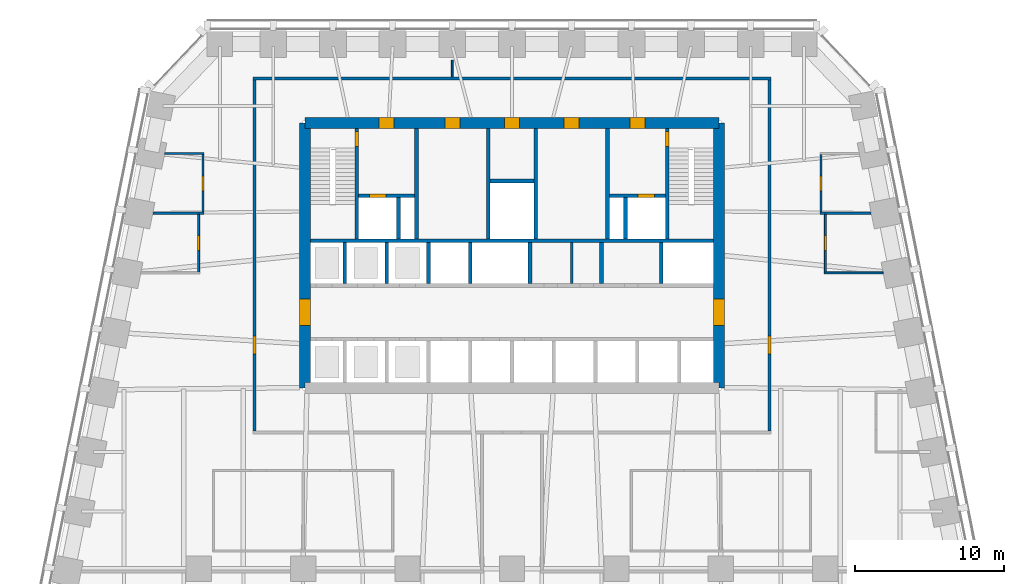
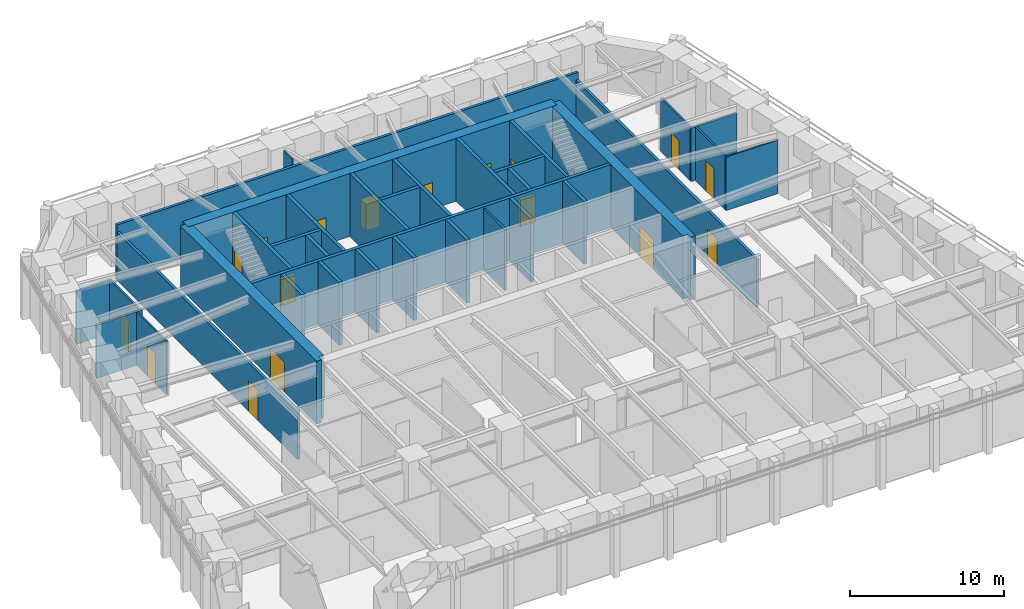
# One storey, part 7 of 11: 35 walls, 17 doors, 17 openings.
"""IFC4 building model written with IfcOpenShell, lengths in metres."""

from ifc_helpers import new_model, si_unit, direction, frame, frame_2d, origin, place, context, subcontext, project, spatial, polyline, rectangle, outline, extrude, material, layer, layer_set, type_object, element, fill, save


model = new_model("IFC4")

# Units and contexts
model_context = context("Model", 3, precision=1e-05, world=origin(), true_north=direction((0.0, 1.0)))
body_context = subcontext(model_context, "Body", "Model", "MODEL_VIEW")
ifc_project = project(units=[si_unit("LENGTHUNIT", "METRE"), si_unit("AREAUNIT", "SQUARE_METRE"), si_unit("VOLUMEUNIT", "CUBIC_METRE"), si_unit("PLANEANGLEUNIT", "RADIAN"), si_unit("MASSUNIT", "GRAM", prefix="KILO")], contexts=[model_context])

# Site, building, storey
site_placement = place(None, origin())
site = spatial("IfcSite", under=ifc_project, at=site_placement, CompositionType="ELEMENT")
building_placement = place(site_placement, origin())
building = spatial("IfcBuilding", under=site, at=building_placement, Name="Isbrekke Arena Tower", CompositionType="ELEMENT")
storey_placement = place(building_placement, frame((0.0, 0.0, 98.0)))
storey = spatial("IfcBuildingStorey", under=building, at=storey_placement, Name="L21", CompositionType="ELEMENT", Elevation=98.0)

# Wall, opening, door
ifc_material_1 = material(Name="Concrete B55 (C55/67)", Category="concrete")
ifc_layer_1 = layer(ifc_material_1, 0.75)
ifc_layer_set_1 = layer_set([ifc_layer_1], Name="CW3 CORE WALL 750")
wall_type_1 = type_object("IfcWallType", Name="CW3 CORE WALL 750", PredefinedType="SHEAR", material=ifc_layer_set_1)
wall_1_placement = place(storey_placement, frame((13.875, 6.125, 0.0), z_axis=(0.0, 0.0, 1.0), x_axis=(0.0, 1.0, 0.0)))
wall_1 = element("IfcWall", 1, at=wall_1_placement, inside=storey, type_object=wall_type_1, Name="Core wall E L21", PredefinedType="SHEAR", context=body_context, shape_type="SweptSolid", body=[
    extrude(outline(polyline([(0.0, -0.375), (17.75, -0.375), (17.75, 0.0), (17.375, 0.0), (17.375, 0.375), (0.375, 0.375), (0.375, 0.0), (0.0, 0.0), (0.0, -0.375)])), origin(), (0.0, 0.0, 1.0), 5.0),
])
opening_1_placement = place(wall_1_placement, frame((4.175048828125, 0.0, 0.0)))
opening_1 = element("IfcOpeningElement", 2, at=opening_1_placement, cuts=wall_1, Name="Opening D1", PredefinedType="OPENING", context=body_context, shape_type="SweptSolid", body=[
    extrude(rectangle(XDim=1.800048828125, YDim=2.39990234375, at=frame_2d((0.89990234375, 1.199951171875))), frame((0.0, 0.389892578125, 0.0), z_axis=(0.0, -1.0, 0.0), x_axis=(1.0, 0.0, 0.0)), (0.0, 0.0, 1.0), 0.77978515625),
])
ifc_material_2 = material(Name="Steel-framed glazed fire door", Category="steel")
door_type_1 = type_object("IfcDoorType", Name="D1 CORE LOBBY DOOR 1800 x 2400", OperationType="DOUBLE_DOOR_SINGLE_SWING", PredefinedType="DOOR", material=ifc_material_2)
door_1_placement = place(opening_1_placement, origin())
door_1 = element("IfcDoor", 3, at=door_1_placement, inside=storey, type_object=door_type_1, Name="D1 lift lobby door east L21", OperationType="DOUBLE_DOOR_SINGLE_SWING", OverallHeight=2.39990234375, OverallWidth=1.800048828125, PredefinedType="DOOR", context=body_context, shape_type="SweptSolid", body=[
    extrude(rectangle(XDim=1.800048828125, YDim=2.39990234375, at=frame_2d((0.89990234375, 1.199951171875))), frame((0.0, 0.374755859375, 0.0), z_axis=(0.0, -1.0, 0.0), x_axis=(1.0, 0.0, 0.0)), (0.0, 0.0, 1.0), 0.74951171875),
])
fill(opening_1, door_1)

# Wall, openings, doors
wall_2_placement = place(storey_placement, frame((13.875, 23.875, 0.0), z_axis=(0.0, 0.0, 1.0), x_axis=(-1.0, 0.0, 0.0)))
wall_2 = element("IfcWall", 4, at=wall_2_placement, inside=storey, type_object=wall_type_1, Name="Core wall N L21", PredefinedType="SHEAR", context=body_context, shape_type="SweptSolid", body=[
    extrude(rectangle(XDim=27.75, YDim=0.75, at=frame_2d((13.875, 0.0))), origin(), (0.0, 0.0, 1.0), 5.0),
])
opening_2_placement = place(wall_2_placement, frame((21.77490234375, 0.0, 0.0)))
opening_2 = element("IfcOpeningElement", 5, at=opening_2_placement, cuts=wall_2, Name="Opening D3", PredefinedType="OPENING", context=body_context, shape_type="SweptSolid", body=[
    extrude(rectangle(XDim=1.0, YDim=2.10009765625, at=frame_2d((0.5, 1.050048828125))), frame((0.0, 0.389892578125, 0.0), z_axis=(0.0, -1.0, 0.0), x_axis=(1.0, 0.0, 0.0)), (0.0, 0.0, 1.0), 0.77978515625),
])
opening_3_placement = place(wall_2_placement, frame((4.97509765625, 0.0, 0.0)))
opening_3 = element("IfcOpeningElement", 6, at=opening_3_placement, cuts=wall_2, Name="Opening D3", PredefinedType="OPENING", context=body_context, shape_type="SweptSolid", body=[
    extrude(rectangle(XDim=1.0, YDim=2.10009765625, at=frame_2d((0.5, 1.050048828125))), frame((0.0, 0.389892578125, 0.0), z_axis=(0.0, -1.0, 0.0), x_axis=(1.0, 0.0, 0.0)), (0.0, 0.0, 1.0), 0.77978515625),
])
opening_4_placement = place(wall_2_placement, frame((17.375, 0.0, 0.0)))
opening_4 = element("IfcOpeningElement", 7, at=opening_4_placement, cuts=wall_2, Name="Opening D4", PredefinedType="OPENING", context=body_context, shape_type="SweptSolid", body=[
    extrude(rectangle(XDim=1.0, YDim=2.10009765625, at=frame_2d((0.5, 1.050048828125))), frame((0.0, 0.389892578125, 0.0), z_axis=(0.0, -1.0, 0.0), x_axis=(1.0, 0.0, 0.0)), (0.0, 0.0, 1.0), 0.77978515625),
])
opening_5_placement = place(wall_2_placement, frame((13.375, 0.0, 0.0)))
opening_5 = element("IfcOpeningElement", 8, at=opening_5_placement, cuts=wall_2, Name="Opening D4", PredefinedType="OPENING", context=body_context, shape_type="SweptSolid", body=[
    extrude(rectangle(XDim=1.0, YDim=2.10009765625, at=frame_2d((0.5, 1.050048828125))), frame((0.0, 0.389892578125, 0.0), z_axis=(0.0, -1.0, 0.0), x_axis=(1.0, 0.0, 0.0)), (0.0, 0.0, 1.0), 0.77978515625),
])
opening_6_placement = place(wall_2_placement, frame((9.375, 0.0, 0.0)))
opening_6 = element("IfcOpeningElement", 9, at=opening_6_placement, cuts=wall_2, Name="Opening D4", PredefinedType="OPENING", context=body_context, shape_type="SweptSolid", body=[
    extrude(rectangle(XDim=1.0, YDim=2.10009765625, at=frame_2d((0.5, 1.050048828125))), frame((0.0, 0.389892578125, 0.0), z_axis=(0.0, -1.0, 0.0), x_axis=(1.0, 0.0, 0.0)), (0.0, 0.0, 1.0), 0.77978515625),
])
ifc_material_3 = material(Name="Steel fire door", Category="steel")
door_type_2 = type_object("IfcDoorType", Name="D3 FIRE LOBBY DOOR 1000 x 2100", OperationType="SINGLE_SWING_RIGHT", PredefinedType="DOOR", material=ifc_material_3)
door_2_placement = place(opening_2_placement, origin())
door_2 = element("IfcDoor", 10, at=door_2_placement, inside=storey, type_object=door_type_2, Name="D3 fire-fighting lobby door L21", OperationType="SINGLE_SWING_RIGHT", OverallHeight=2.10009765625, OverallWidth=1.0, PredefinedType="DOOR", context=body_context, shape_type="SweptSolid", body=[
    extrude(rectangle(XDim=1.0, YDim=2.10009765625, at=frame_2d((0.5, 1.050048828125))), frame((0.0, 0.374755859375, 0.0), z_axis=(0.0, -1.0, 0.0), x_axis=(1.0, 0.0, 0.0)), (0.0, 0.0, 1.0), 0.74951171875),
])
fill(opening_2, door_2)
door_3_placement = place(opening_3_placement, origin())
door_3 = element("IfcDoor", 11, at=door_3_placement, inside=storey, type_object=door_type_2, Name="D3 fire-fighting lobby door L21", OperationType="SINGLE_SWING_RIGHT", OverallHeight=2.10009765625, OverallWidth=1.0, PredefinedType="DOOR", context=body_context, shape_type="SweptSolid", body=[
    extrude(rectangle(XDim=1.0, YDim=2.10009765625, at=frame_2d((0.5, 1.050048828125))), frame((0.0, 0.374755859375, 0.0), z_axis=(0.0, -1.0, 0.0), x_axis=(1.0, 0.0, 0.0)), (0.0, 0.0, 1.0), 0.74951171875),
])
fill(opening_3, door_3)
ifc_material_4 = material(Name="Timber door", Category="wood")
door_type_3 = type_object("IfcDoorType", Name="D4 WC DOOR 1000 x 2100", OperationType="SINGLE_SWING_LEFT", PredefinedType="DOOR", material=ifc_material_4)
door_4_placement = place(opening_4_placement, origin())
door_4 = element("IfcDoor", 12, at=door_4_placement, inside=storey, type_object=door_type_3, Name="D4 wc female door L21", OperationType="SINGLE_SWING_LEFT", OverallHeight=2.10009765625, OverallWidth=1.0, PredefinedType="DOOR", context=body_context, shape_type="SweptSolid", body=[
    extrude(rectangle(XDim=1.0, YDim=2.10009765625, at=frame_2d((0.5, 1.050048828125))), frame((0.0, 0.374755859375, 0.0), z_axis=(0.0, -1.0, 0.0), x_axis=(1.0, 0.0, 0.0)), (0.0, 0.0, 1.0), 0.74951171875),
])
fill(opening_4, door_4)
door_5_placement = place(opening_5_placement, origin())
door_5 = element("IfcDoor", 13, at=door_5_placement, inside=storey, type_object=door_type_3, Name="D4 accessible wc door L21", OperationType="SINGLE_SWING_LEFT", OverallHeight=2.10009765625, OverallWidth=1.0, PredefinedType="DOOR", context=body_context, shape_type="SweptSolid", body=[
    extrude(rectangle(XDim=1.0, YDim=2.10009765625, at=frame_2d((0.5, 1.050048828125))), frame((0.0, 0.374755859375, 0.0), z_axis=(0.0, -1.0, 0.0), x_axis=(1.0, 0.0, 0.0)), (0.0, 0.0, 1.0), 0.74951171875),
])
fill(opening_5, door_5)
door_6_placement = place(opening_6_placement, origin())
door_6 = element("IfcDoor", 14, at=door_6_placement, inside=storey, type_object=door_type_3, Name="D4 wc male door L21", OperationType="SINGLE_SWING_LEFT", OverallHeight=2.10009765625, OverallWidth=1.0, PredefinedType="DOOR", context=body_context, shape_type="SweptSolid", body=[
    extrude(rectangle(XDim=1.0, YDim=2.10009765625, at=frame_2d((0.5, 1.050048828125))), frame((0.0, 0.374755859375, 0.0), z_axis=(0.0, -1.0, 0.0), x_axis=(1.0, 0.0, 0.0)), (0.0, 0.0, 1.0), 0.74951171875),
])
fill(opening_6, door_6)

# Wall, opening, door
wall_3_placement = place(storey_placement, frame((-13.875, 23.875, 0.0), z_axis=(0.0, 0.0, 1.0), x_axis=(0.0, -1.0, 0.0)))
wall_3 = element("IfcWall", 15, at=wall_3_placement, inside=storey, type_object=wall_type_1, Name="Core wall W L21", PredefinedType="SHEAR", context=body_context, shape_type="SweptSolid", body=[
    extrude(outline(polyline([(0.0, -0.375), (17.75, -0.375), (17.75, 0.0), (17.375, 0.0), (17.375, 0.375), (0.375, 0.375), (0.375, 0.0), (0.0, 0.0), (0.0, -0.375)])), origin(), (0.0, 0.0, 1.0), 5.0),
])
opening_7_placement = place(wall_3_placement, frame((11.77490234375, 0.0, 0.0)))
opening_7 = element("IfcOpeningElement", 16, at=opening_7_placement, cuts=wall_3, Name="Opening D1", PredefinedType="OPENING", context=body_context, shape_type="SweptSolid", body=[
    extrude(rectangle(XDim=1.800048828125, YDim=2.39990234375, at=frame_2d((0.89990234375, 1.199951171875))), frame((0.0, 0.389892578125, 0.0), z_axis=(0.0, -1.0, 0.0), x_axis=(1.0, 0.0, 0.0)), (0.0, 0.0, 1.0), 0.77978515625),
])
door_7_placement = place(opening_7_placement, origin())
door_7 = element("IfcDoor", 17, at=door_7_placement, inside=storey, type_object=door_type_1, Name="D1 lift lobby door west L21", OperationType="DOUBLE_DOOR_SINGLE_SWING", OverallHeight=2.39990234375, OverallWidth=1.800048828125, PredefinedType="DOOR", context=body_context, shape_type="SweptSolid", body=[
    extrude(rectangle(XDim=1.800048828125, YDim=2.39990234375, at=frame_2d((0.89990234375, 1.199951171875))), frame((0.0, 0.374755859375, 0.0), z_axis=(0.0, -1.0, 0.0), x_axis=(1.0, 0.0, 0.0)), (0.0, 0.0, 1.0), 0.74951171875),
])
fill(opening_7, door_7)

# Walls
ifc_material_5 = material(Name="Concrete B45 (C45/55)", Category="concrete")
ifc_layer_2 = layer(ifc_material_5, 0.25)
ifc_layer_set_2 = layer_set([ifc_layer_2], Name="CW6 SHAFT WALL 250")
wall_type_2 = type_object("IfcWallType", Name="CW6 SHAFT WALL 250", PredefinedType="SHEAR", material=ifc_layer_set_2)
wall_4_placement = place(storey_placement, frame((-13.5, 16.0, 0.0), z_axis=(0.0, 0.0, 1.0), x_axis=(1.0, 0.0, 0.0)))
element("IfcWall", 18, at=wall_4_placement, inside=storey, type_object=wall_type_2, Name="Core wall NB L21", PredefinedType="SHEAR", context=body_context, shape_type="SweptSolid", body=[
    extrude(rectangle(XDim=27.0, YDim=0.25, at=frame_2d((13.5, 0.0))), origin(), (0.0, 0.0, 1.0), 5.0),
])
for number, where, z_axis, x_axis, name in (
    (19, (-11.199951171875, 13.125, 0.0), (0.0, 0.0, 1.0), (0.0, 1.0, 0.0), "Core wall SN01 L21"),
    (20, (-8.39990234375, 13.125, 0.0), (0.0, 0.0, 1.0), (0.0, 1.0, 0.0), "Core wall SN02 L21"),
    (21, (-5.60009765625, 13.125, 0.0), (0.0, 0.0, 1.0), (0.0, 1.0, 0.0), "Core wall SN03 L21"),
    (22, (-2.800048828125, 13.125, 0.0), (0.0, 0.0, 1.0), (0.0, 1.0, 0.0), "Core wall SN04 L21"),
    (23, (1.199951171875, 13.125, 0.0), (0.0, 0.0, 1.0), (0.0, 1.0, 0.0), "Core wall SN05 L21"),
    (24, (6.0, 13.125, 0.0), (0.0, 0.0, 1.0), (0.0, 1.0, 0.0), "Core wall SN06 L21"),
    (25, (10.0, 13.125, 0.0), (0.0, 0.0, 1.0), (0.0, 1.0, 0.0), "Core wall SN07 L21"),
):
    element("IfcWall", number, at=place(storey_placement, frame(where, z_axis=z_axis, x_axis=x_axis)), inside=storey, type_object=wall_type_2, Name=name, PredefinedType="SHEAR", context=body_context, shape_type="SweptSolid", body=[
        extrude(rectangle(XDim=2.75, YDim=0.25, at=frame_2d((1.375, 0.0))), origin(), (0.0, 0.0, 1.0), 5.0),
    ])

# Wall, opening, door
wall_5_placement = place(storey_placement, frame((-10.39990234375, 16.125, 0.0), z_axis=(0.0, 0.0, 1.0), x_axis=(0.0, 1.0, 0.0)))
wall_5 = element("IfcWall", 26, at=wall_5_placement, inside=storey, type_object=wall_type_2, Name="Core wall NV01 L21", PredefinedType="SHEAR", context=body_context, shape_type="SweptSolid", body=[
    extrude(rectangle(XDim=7.375, YDim=0.25, at=frame_2d((3.6875, 0.0))), origin(), (0.0, 0.0, 1.0), 5.0),
])
opening_8_placement = place(wall_5_placement, frame((6.175048828125, 0.0, 0.0)))
opening_8 = element("IfcOpeningElement", 27, at=opening_8_placement, cuts=wall_5, Name="Opening D2", PredefinedType="OPENING", context=body_context, shape_type="SweptSolid", body=[
    extrude(rectangle(XDim=1.0, YDim=2.10009765625, at=frame_2d((0.5, 1.050048828125))), frame((0.0, 0.139892578125, 0.0), z_axis=(0.0, -1.0, 0.0), x_axis=(1.0, 0.0, 0.0)), (0.0, 0.0, 1.0), 0.27978515625),
])
ifc_material_6 = material(Name="Steel fire door", Category="steel")
door_type_4 = type_object("IfcDoorType", Name="D2 STAIR DOOR 1000 x 2100", OperationType="SINGLE_SWING_LEFT", PredefinedType="DOOR", material=ifc_material_6)
door_8_placement = place(opening_8_placement, origin())
door_8 = element("IfcDoor", 28, at=door_8_placement, inside=storey, type_object=door_type_4, Name="D2 stair door ST1 L21", OperationType="SINGLE_SWING_LEFT", OverallHeight=2.10009765625, OverallWidth=1.0, PredefinedType="DOOR", context=body_context, shape_type="SweptSolid", body=[
    extrude(rectangle(XDim=1.0, YDim=2.10009765625, at=frame_2d((0.5, 1.050048828125))), frame((0.0, 0.124755859375, 0.0), z_axis=(0.0, -1.0, 0.0), x_axis=(1.0, 0.0, 0.0)), (0.0, 0.0, 1.0), 0.24951171875),
])
fill(opening_8, door_8)

# Walls
for number, where, z_axis, x_axis, name in (
    (29, (-6.39990234375, 16.125, 0.0), (0.0, 0.0, 1.0), (0.0, 1.0, 0.0), "Core wall NV02 L21"),
    (30, (-1.60009765625, 16.125, 0.0), (0.0, 0.0, 1.0), (0.0, 1.0, 0.0), "Core wall NV03 L21"),
    (31, (1.60009765625, 16.125, 0.0), (0.0, 0.0, 1.0), (0.0, 1.0, 0.0), "Core wall NV04 L21"),
    (32, (6.39990234375, 16.125, 0.0), (0.0, 0.0, 1.0), (0.0, 1.0, 0.0), "Core wall NV05 L21"),
):
    element("IfcWall", number, at=place(storey_placement, frame(where, z_axis=z_axis, x_axis=x_axis)), inside=storey, type_object=wall_type_2, Name=name, PredefinedType="SHEAR", context=body_context, shape_type="SweptSolid", body=[
        extrude(rectangle(XDim=7.375, YDim=0.25, at=frame_2d((3.6875, 0.0))), origin(), (0.0, 0.0, 1.0), 5.0),
    ])

# Wall, opening, door
wall_6_placement = place(storey_placement, frame((10.39990234375, 16.125, 0.0), z_axis=(0.0, 0.0, 1.0), x_axis=(0.0, 1.0, 0.0)))
wall_6 = element("IfcWall", 33, at=wall_6_placement, inside=storey, type_object=wall_type_2, Name="Core wall NV06 L21", PredefinedType="SHEAR", context=body_context, shape_type="SweptSolid", body=[
    extrude(rectangle(XDim=7.375, YDim=0.25, at=frame_2d((3.6875, 0.0))), origin(), (0.0, 0.0, 1.0), 5.0),
])
opening_9_placement = place(wall_6_placement, frame((6.175048828125, 0.0, 0.0)))
opening_9 = element("IfcOpeningElement", 34, at=opening_9_placement, cuts=wall_6, Name="Opening D2", PredefinedType="OPENING", context=body_context, shape_type="SweptSolid", body=[
    extrude(rectangle(XDim=1.0, YDim=2.10009765625, at=frame_2d((0.5, 1.050048828125))), frame((0.0, 0.139892578125, 0.0), z_axis=(0.0, -1.0, 0.0), x_axis=(1.0, 0.0, 0.0)), (0.0, 0.0, 1.0), 0.27978515625),
])
door_9_placement = place(opening_9_placement, origin())
door_9 = element("IfcDoor", 35, at=door_9_placement, inside=storey, type_object=door_type_4, Name="D2 stair door ST2 L21", OperationType="SINGLE_SWING_LEFT", OverallHeight=2.10009765625, OverallWidth=1.0, PredefinedType="DOOR", context=body_context, shape_type="SweptSolid", body=[
    extrude(rectangle(XDim=1.0, YDim=2.10009765625, at=frame_2d((0.5, 1.050048828125))), frame((0.0, 0.124755859375, 0.0), z_axis=(0.0, -1.0, 0.0), x_axis=(1.0, 0.0, 0.0)), (0.0, 0.0, 1.0), 0.24951171875),
])
fill(opening_9, door_9)

wall_7_placement = place(storey_placement, frame((-10.27490234375, 19.0, 0.0), z_axis=(0.0, 0.0, 1.0), x_axis=(1.0, 0.0, 0.0)))
wall_7 = element("IfcWall", 36, at=wall_7_placement, inside=storey, type_object=wall_type_2, Name="Core wall NFW L21", PredefinedType="SHEAR", context=body_context, shape_type="SweptSolid", body=[
    extrude(rectangle(XDim=3.75, YDim=0.25, at=frame_2d((1.875, 0.0))), origin(), (0.0, 0.0, 1.0), 5.0),
])
opening_10_placement = place(wall_7_placement, frame((0.72509765625, 0.0, 0.0)))
opening_10 = element("IfcOpeningElement", 37, at=opening_10_placement, cuts=wall_7, Name="Opening LD2", PredefinedType="OPENING", context=body_context, shape_type="SweptSolid", body=[
    extrude(rectangle(XDim=1.10009765625, YDim=2.10009765625, at=frame_2d((0.550048828125, 1.050048828125))), frame((0.0, 0.139892578125, 0.0), z_axis=(0.0, -1.0, 0.0), x_axis=(1.0, 0.0, 0.0)), (0.0, 0.0, 1.0), 0.27978515625),
])
ifc_material_7 = material(Name="Stainless steel lift landing door", Category="steel")
door_type_5 = type_object("IfcDoorType", Name="LD2 FIRE-FIGHTING LIFT LANDING DOOR 1100 x 2100", OperationType="SLIDING_TO_RIGHT", PredefinedType="DOOR", material=ifc_material_7)
door_10_placement = place(opening_10_placement, origin())
door_10 = element("IfcDoor", 38, at=door_10_placement, inside=storey, type_object=door_type_5, Name="LD2 lift landing door LF L21", OperationType="SLIDING_TO_RIGHT", OverallHeight=2.10009765625, OverallWidth=1.10009765625, PredefinedType="DOOR", context=body_context, shape_type="SweptSolid", body=[
    extrude(rectangle(XDim=1.10009765625, YDim=2.10009765625, at=frame_2d((0.550048828125, 1.050048828125))), frame((0.0, 0.124755859375, 0.0), z_axis=(0.0, -1.0, 0.0), x_axis=(1.0, 0.0, 0.0)), (0.0, 0.0, 1.0), 0.24951171875),
])
fill(opening_10, door_10)

wall_8_placement = place(storey_placement, frame((6.52490234375, 19.0, 0.0), z_axis=(0.0, 0.0, 1.0), x_axis=(1.0, 0.0, 0.0)))
wall_8 = element("IfcWall", 39, at=wall_8_placement, inside=storey, type_object=wall_type_2, Name="Core wall NFE L21", PredefinedType="SHEAR", context=body_context, shape_type="SweptSolid", body=[
    extrude(rectangle(XDim=3.75, YDim=0.25, at=frame_2d((1.875, 0.0))), origin(), (0.0, 0.0, 1.0), 5.0),
])
opening_11_placement = place(wall_8_placement, frame((1.925048828125, 0.0, 0.0)))
opening_11 = element("IfcOpeningElement", 40, at=opening_11_placement, cuts=wall_8, Name="Opening LD2", PredefinedType="OPENING", context=body_context, shape_type="SweptSolid", body=[
    extrude(rectangle(XDim=1.10009765625, YDim=2.10009765625, at=frame_2d((0.550048828125, 1.050048828125))), frame((0.0, 0.139892578125, 0.0), z_axis=(0.0, -1.0, 0.0), x_axis=(1.0, 0.0, 0.0)), (0.0, 0.0, 1.0), 0.27978515625),
])
door_11_placement = place(opening_11_placement, origin())
door_11 = element("IfcDoor", 41, at=door_11_placement, inside=storey, type_object=door_type_5, Name="LD2 lift landing door LF L21", OperationType="SLIDING_TO_RIGHT", OverallHeight=2.10009765625, OverallWidth=1.10009765625, PredefinedType="DOOR", context=body_context, shape_type="SweptSolid", body=[
    extrude(rectangle(XDim=1.10009765625, YDim=2.10009765625, at=frame_2d((0.550048828125, 1.050048828125))), frame((0.0, 0.124755859375, 0.0), z_axis=(0.0, -1.0, 0.0), x_axis=(1.0, 0.0, 0.0)), (0.0, 0.0, 1.0), 0.24951171875),
])
fill(opening_11, door_11)

# Walls
for number, where, z_axis, x_axis, name in (
    (42, (-7.60009765625, 16.125, 0.0), (0.0, 0.0, 1.0), (0.0, 1.0, 0.0), "Core wall NFS1 L21"),
    (43, (7.60009765625, 16.125, 0.0), (0.0, 0.0, 1.0), (0.0, 1.0, 0.0), "Core wall NFS2 L21"),
):
    element("IfcWall", number, at=place(storey_placement, frame(where, z_axis=z_axis, x_axis=x_axis)), inside=storey, type_object=wall_type_2, Name=name, PredefinedType="SHEAR", context=body_context, shape_type="SweptSolid", body=[
        extrude(rectangle(XDim=2.75, YDim=0.25, at=frame_2d((1.375, 0.0))), origin(), (0.0, 0.0, 1.0), 5.0),
    ])
wall_9_placement = place(storey_placement, frame((-1.47509765625, 20.0, 0.0), z_axis=(0.0, 0.0, 1.0), x_axis=(1.0, 0.0, 0.0)))
element("IfcWall", 44, at=wall_9_placement, inside=storey, type_object=wall_type_2, Name="Core wall NWC L21", PredefinedType="SHEAR", context=body_context, shape_type="SweptSolid", body=[
    extrude(rectangle(XDim=2.9501953125, YDim=0.25, at=frame_2d((1.47509765625, 0.0))), origin(), (0.0, 0.0, 1.0), 5.0),
])
ifc_material_8 = material(Name="Gypsum board partition on steel studs", Category="steel")
ifc_layer_3 = layer(ifc_material_8, 0.14990234375)
ifc_layer_set_3 = layer_set([ifc_layer_3], Name="IW1 PARTITION 150")
wall_type_3 = type_object("IfcWallType", Name="IW1 PARTITION 150", PredefinedType="PARTITIONING", material=ifc_layer_set_3)
for number, where, z_axis, x_axis, name in (
    (45, (-24.07275390625, 17.840087890625, 0.0), (0.0, 0.0, 1.0), (1.0, 0.0, 0.0), "IW1 partition 150 L21"),
    (46, (20.625, 17.840087890625, 0.0), (0.0, 0.0, 1.0), (1.0, 0.0, 0.0), "IW1 partition 150 L21"),
):
    element("IfcWall", number, at=place(storey_placement, frame(where, z_axis=z_axis, x_axis=x_axis)), inside=storey, type_object=wall_type_3, Name=name, PredefinedType="PARTITIONING", context=body_context, shape_type="SweptSolid", body=[
        extrude(rectangle(XDim=3.44775390625, YDim=0.14990234375, at=frame_2d((1.723876953125, 0.0))), origin(), (0.0, 0.0, 1.0), 4.25),
    ])
wall_10_placement = place(storey_placement, frame((-23.272705078125, 21.840087890625, 0.0), z_axis=(0.0, 0.0, 1.0), x_axis=(1.0, 0.0, 0.0)))
element("IfcWall", 47, at=wall_10_placement, inside=storey, type_object=wall_type_3, Name="IW1 partition 150 L21", PredefinedType="PARTITIONING", context=body_context, shape_type="SweptSolid", body=[
    extrude(rectangle(XDim=2.647705078125, YDim=0.14990234375, at=frame_2d((1.32373046875, 0.0))), origin(), (0.0, 0.0, 1.0), 4.25),
])

# Wall, opening, door
wall_11_placement = place(storey_placement, frame((-20.699951171875, 17.9150390625, 0.0), z_axis=(0.0, 0.0, 1.0), x_axis=(0.0, 1.0, 0.0)))
wall_11 = element("IfcWall", 48, at=wall_11_placement, inside=storey, type_object=wall_type_3, Name="IW1 partition 150 L21", PredefinedType="PARTITIONING", context=body_context, shape_type="SweptSolid", body=[
    extrude(rectangle(XDim=3.849853515625, YDim=0.14990234375, at=frame_2d((1.9248046875, 0.0))), origin(), (0.0, 0.0, 1.0), 4.25),
])
opening_12_placement = place(wall_11_placement, frame((1.425048828125, 0.0, 0.0)))
opening_12 = element("IfcOpeningElement", 49, at=opening_12_placement, cuts=wall_11, Name="Opening D10", PredefinedType="OPENING", context=body_context, shape_type="SweptSolid", body=[
    extrude(rectangle(XDim=1.0, YDim=2.300048828125, at=frame_2d((0.5, 1.14990234375))), frame((0.0, 0.08984375, 0.0), z_axis=(0.0, -1.0, 0.0), x_axis=(1.0, 0.0, 0.0)), (0.0, 0.0, 1.0), 0.1796875),
])
ifc_material_9 = material(Name="Timber door", Category="wood")
door_type_6 = type_object("IfcDoorType", Name="D10 OFFICE DOOR 1000 x 2300", OperationType="SINGLE_SWING_LEFT", PredefinedType="DOOR", material=ifc_material_9)
door_12_placement = place(opening_12_placement, origin())
door_12 = element("IfcDoor", 50, at=door_12_placement, inside=storey, type_object=door_type_6, Name="D10 office door L21", OperationType="SINGLE_SWING_LEFT", OverallHeight=2.300048828125, OverallWidth=1.0, PredefinedType="DOOR", context=body_context, shape_type="SweptSolid", body=[
    extrude(rectangle(XDim=1.0, YDim=2.300048828125, at=frame_2d((0.5, 1.14990234375))), frame((0.0, 0.07470703125, 0.0), z_axis=(0.0, -1.0, 0.0), x_axis=(1.0, 0.0, 0.0)), (0.0, 0.0, 1.0), 0.1494140625),
])
fill(opening_12, door_12)

wall_12_placement = place(storey_placement, frame((20.699951171875, 17.9150390625, 0.0), z_axis=(0.0, 0.0, 1.0), x_axis=(0.0, 1.0, 0.0)))
wall_12 = element("IfcWall", 51, at=wall_12_placement, inside=storey, type_object=wall_type_3, Name="IW1 partition 150 L21", PredefinedType="PARTITIONING", context=body_context, shape_type="SweptSolid", body=[
    extrude(rectangle(XDim=3.849853515625, YDim=0.14990234375, at=frame_2d((1.9248046875, 0.0))), origin(), (0.0, 0.0, 1.0), 4.25),
])
opening_13_placement = place(wall_12_placement, frame((1.425048828125, 0.0, 0.0)))
opening_13 = element("IfcOpeningElement", 52, at=opening_13_placement, cuts=wall_12, Name="Opening D10", PredefinedType="OPENING", context=body_context, shape_type="SweptSolid", body=[
    extrude(rectangle(XDim=1.0, YDim=2.300048828125, at=frame_2d((0.5, 1.14990234375))), frame((0.0, 0.08984375, 0.0), z_axis=(0.0, -1.0, 0.0), x_axis=(1.0, 0.0, 0.0)), (0.0, 0.0, 1.0), 0.1796875),
])
door_13_placement = place(opening_13_placement, origin())
door_13 = element("IfcDoor", 53, at=door_13_placement, inside=storey, type_object=door_type_6, Name="D10 office door L21", OperationType="SINGLE_SWING_LEFT", OverallHeight=2.300048828125, OverallWidth=1.0, PredefinedType="DOOR", context=body_context, shape_type="SweptSolid", body=[
    extrude(rectangle(XDim=1.0, YDim=2.300048828125, at=frame_2d((0.5, 1.14990234375))), frame((0.0, 0.07470703125, 0.0), z_axis=(0.0, -1.0, 0.0), x_axis=(1.0, 0.0, 0.0)), (0.0, 0.0, 1.0), 0.1494140625),
])
fill(opening_13, door_13)

# Wall
ifc_material_10 = material(Name="Frameless glazed partition, laminated acoustic glass", Category="glass")
ifc_layer_4 = layer(ifc_material_10, 0.1201171875)
ifc_layer_set_4 = layer_set([ifc_layer_4], Name="IW2 GLAZED PARTITION 120")
wall_type_4 = type_object("IfcWallType", Name="IW2 GLAZED PARTITION 120", PredefinedType="PARTITIONING", material=ifc_layer_set_4)
wall_13_placement = place(storey_placement, frame((20.93994140625, 13.840087890625, 0.0), z_axis=(0.0, 0.0, 1.0), x_axis=(1.0, 0.0, 0.0)))
element("IfcWall", 54, at=wall_13_placement, inside=storey, type_object=wall_type_4, Name="IW2 glazed partition 120 L21", PredefinedType="PARTITIONING", context=body_context, shape_type="SweptSolid", body=[
    extrude(rectangle(XDim=3.932861328125, YDim=0.1201171875, at=frame_2d((1.96630859375, 0.0))), origin(), (0.0, 0.0, 1.0), 4.25),
])

# Wall, opening, door
wall_14_placement = place(storey_placement, frame((-21.0, 13.89990234375, 0.0), z_axis=(0.0, 0.0, 1.0), x_axis=(0.0, 1.0, 0.0)))
wall_14 = element("IfcWall", 55, at=wall_14_placement, inside=storey, type_object=wall_type_4, Name="IW2 glazed partition 120 L21", PredefinedType="PARTITIONING", context=body_context, shape_type="SweptSolid", body=[
    extrude(rectangle(XDim=3.864990234375, YDim=0.1201171875, at=frame_2d((1.9326171875, 0.0))), origin(), (0.0, 0.0, 1.0), 4.25),
])
opening_14_placement = place(wall_14_placement, frame((1.43994140625, 0.0, 0.0)))
opening_14 = element("IfcOpeningElement", 56, at=opening_14_placement, cuts=wall_14, Name="Opening D11", PredefinedType="OPENING", context=body_context, shape_type="SweptSolid", body=[
    extrude(rectangle(XDim=1.0, YDim=2.39990234375, at=frame_2d((0.5, 1.199951171875))), frame((0.0, 0.074951171875, 0.0), z_axis=(0.0, -1.0, 0.0), x_axis=(1.0, 0.0, 0.0)), (0.0, 0.0, 1.0), 0.14990234375),
])
ifc_material_11 = material(Name="Frameless glazed door", Category="glass")
door_type_7 = type_object("IfcDoorType", Name="D11 GLAZED MEETING ROOM DOOR 1000 x 2400", OperationType="SINGLE_SWING_RIGHT", PredefinedType="DOOR", material=ifc_material_11)
door_14_placement = place(opening_14_placement, origin())
door_14 = element("IfcDoor", 57, at=door_14_placement, inside=storey, type_object=door_type_7, Name="D11 meeting room door L21", OperationType="SINGLE_SWING_RIGHT", OverallHeight=2.39990234375, OverallWidth=1.0, PredefinedType="DOOR", context=body_context, shape_type="SweptSolid", body=[
    extrude(rectangle(XDim=1.0, YDim=2.39990234375, at=frame_2d((0.5, 1.199951171875))), frame((0.0, 0.059814453125, 0.0), z_axis=(0.0, -1.0, 0.0), x_axis=(1.0, 0.0, 0.0)), (0.0, 0.0, 1.0), 0.11962890625),
])
fill(opening_14, door_14)

wall_15_placement = place(storey_placement, frame((21.0, 13.89990234375, 0.0), z_axis=(0.0, 0.0, 1.0), x_axis=(0.0, 1.0, 0.0)))
wall_15 = element("IfcWall", 58, at=wall_15_placement, inside=storey, type_object=wall_type_4, Name="IW2 glazed partition 120 L21", PredefinedType="PARTITIONING", context=body_context, shape_type="SweptSolid", body=[
    extrude(rectangle(XDim=3.864990234375, YDim=0.1201171875, at=frame_2d((1.9326171875, 0.0))), origin(), (0.0, 0.0, 1.0), 4.25),
])
opening_15_placement = place(wall_15_placement, frame((1.43994140625, 0.0, 0.0)))
opening_15 = element("IfcOpeningElement", 59, at=opening_15_placement, cuts=wall_15, Name="Opening D11", PredefinedType="OPENING", context=body_context, shape_type="SweptSolid", body=[
    extrude(rectangle(XDim=1.0, YDim=2.39990234375, at=frame_2d((0.5, 1.199951171875))), frame((0.0, 0.074951171875, 0.0), z_axis=(0.0, -1.0, 0.0), x_axis=(1.0, 0.0, 0.0)), (0.0, 0.0, 1.0), 0.14990234375),
])
door_15_placement = place(opening_15_placement, origin())
door_15 = element("IfcDoor", 60, at=door_15_placement, inside=storey, type_object=door_type_7, Name="D11 meeting room door L21", OperationType="SINGLE_SWING_RIGHT", OverallHeight=2.39990234375, OverallWidth=1.0, PredefinedType="DOOR", context=body_context, shape_type="SweptSolid", body=[
    extrude(rectangle(XDim=1.0, YDim=2.39990234375, at=frame_2d((0.5, 1.199951171875))), frame((0.0, 0.059814453125, 0.0), z_axis=(0.0, -1.0, 0.0), x_axis=(1.0, 0.0, 0.0)), (0.0, 0.0, 1.0), 0.11962890625),
])
fill(opening_15, door_15)

# Walls
wall_16_placement = place(storey_placement, frame((-3.9990234375, 26.969970703125, 0.0), z_axis=(0.0, 0.0, 1.0), x_axis=(0.0, 1.0, 0.0)))
element("IfcWall", 61, at=wall_16_placement, inside=storey, type_object=wall_type_4, Name="IW2 glazed partition 120 L21", PredefinedType="PARTITIONING", context=body_context, shape_type="SweptSolid", body=[
    extrude(rectangle(XDim=1.130126953125, YDim=0.1201171875, at=frame_2d((0.56494140625, 0.0))), origin(), (0.0, 0.0, 1.0), 4.85009765625),
])
ifc_material_12 = material(Name="Gypsum board fire-cell wall on steel studs, two layers each side", Category="steel")
ifc_layer_5 = layer(ifc_material_12, 0.199951171875)
ifc_layer_set_5 = layer_set([ifc_layer_5], Name="IW3 FIRE-CELL WALL 200")
wall_type_5 = type_object("IfcWallType", Name="IW3 FIRE-CELL WALL 200", PredefinedType="PARTITIONING", material=ifc_layer_set_5)
wall_17_placement = place(storey_placement, frame((-17.35009765625, 26.85009765625, 0.0), z_axis=(0.0, 0.0, 1.0), x_axis=(1.0, 0.0, 0.0)))
element("IfcWall", 62, at=wall_17_placement, inside=storey, type_object=wall_type_5, Name="IW3 fire-cell wall 200 L21", PredefinedType="PARTITIONING", context=body_context, shape_type="SweptSolid", body=[
    extrude(rectangle(XDim=34.7001953125, YDim=0.199951171875, at=frame_2d((17.35009765625, 0.0))), origin(), (0.0, 0.0, 1.0), 4.39990234375),
])

# Wall, opening, door
wall_18_placement = place(storey_placement, frame((-17.25, 3.25, 0.0), z_axis=(0.0, 0.0, 1.0), x_axis=(0.0, 1.0, 0.0)))
wall_18 = element("IfcWall", 63, at=wall_18_placement, inside=storey, type_object=wall_type_5, Name="IW3 fire-cell wall 200 L21", PredefinedType="PARTITIONING", context=body_context, shape_type="SweptSolid", body=[
    extrude(rectangle(XDim=23.5, YDim=0.199951171875, at=frame_2d((11.75, 0.0))), origin(), (0.0, 0.0, 1.0), 3.842041015625),
])
opening_16_placement = place(wall_18_placement, frame((5.14990234375, 0.0, 0.0)))
opening_16 = element("IfcOpeningElement", 64, at=opening_16_placement, cuts=wall_18, Name="Opening D12", PredefinedType="OPENING", context=body_context, shape_type="SweptSolid", body=[
    extrude(rectangle(XDim=1.199951171875, YDim=2.39990234375, at=frame_2d((0.60009765625, 1.199951171875))), frame((0.0, 0.11474609375, 0.0), z_axis=(0.0, -1.0, 0.0), x_axis=(1.0, 0.0, 0.0)), (0.0, 0.0, 1.0), 0.229736328125),
])
ifc_material_13 = material(Name="Timber fire door with vision panel", Category="wood")
door_type_8 = type_object("IfcDoorType", Name="D12 SUITE ENTRANCE DOOR 1200 x 2400", OperationType="SINGLE_SWING_LEFT", PredefinedType="DOOR", material=ifc_material_13)
door_16_placement = place(opening_16_placement, origin())
door_16 = element("IfcDoor", 65, at=door_16_placement, inside=storey, type_object=door_type_8, Name="D12 suite entrance W door L21", OperationType="SINGLE_SWING_LEFT", OverallHeight=2.39990234375, OverallWidth=1.199951171875, PredefinedType="DOOR", context=body_context, shape_type="SweptSolid", body=[
    extrude(rectangle(XDim=1.199951171875, YDim=2.39990234375, at=frame_2d((0.60009765625, 1.199951171875))), frame((0.0, 0.099609375, 0.0), z_axis=(0.0, -1.0, 0.0), x_axis=(1.0, 0.0, 0.0)), (0.0, 0.0, 1.0), 0.199462890625),
])
fill(opening_16, door_16)

wall_19_placement = place(storey_placement, frame((17.25, 3.25, 0.0), z_axis=(0.0, 0.0, 1.0), x_axis=(0.0, 1.0, 0.0)))
wall_19 = element("IfcWall", 66, at=wall_19_placement, inside=storey, type_object=wall_type_5, Name="IW3 fire-cell wall 200 L21", PredefinedType="PARTITIONING", context=body_context, shape_type="SweptSolid", body=[
    extrude(rectangle(XDim=23.5, YDim=0.199951171875, at=frame_2d((11.75, 0.0))), origin(), (0.0, 0.0, 1.0), 3.842041015625),
])
opening_17_placement = place(wall_19_placement, frame((5.14990234375, 0.0, 0.0)))
opening_17 = element("IfcOpeningElement", 67, at=opening_17_placement, cuts=wall_19, Name="Opening D12", PredefinedType="OPENING", context=body_context, shape_type="SweptSolid", body=[
    extrude(rectangle(XDim=1.199951171875, YDim=2.39990234375, at=frame_2d((0.60009765625, 1.199951171875))), frame((0.0, 0.11474609375, 0.0), z_axis=(0.0, -1.0, 0.0), x_axis=(1.0, 0.0, 0.0)), (0.0, 0.0, 1.0), 0.229736328125),
])
door_17_placement = place(opening_17_placement, origin())
door_17 = element("IfcDoor", 68, at=door_17_placement, inside=storey, type_object=door_type_8, Name="D12 suite entrance W door L21", OperationType="SINGLE_SWING_LEFT", OverallHeight=2.39990234375, OverallWidth=1.199951171875, PredefinedType="DOOR", context=body_context, shape_type="SweptSolid", body=[
    extrude(rectangle(XDim=1.199951171875, YDim=2.39990234375, at=frame_2d((0.60009765625, 1.199951171875))), frame((0.0, 0.099609375, 0.0), z_axis=(0.0, -1.0, 0.0), x_axis=(1.0, 0.0, 0.0)), (0.0, 0.0, 1.0), 0.199462890625),
])
fill(opening_17, door_17)

# Wall
ifc_material_14 = material(Name="Gypsum board fire-rated partition on steel studs, two layers each side", Category="steel")
ifc_layer_6 = layer(ifc_material_14, 0.14990234375)
ifc_layer_set_6 = layer_set([ifc_layer_6], Name="IW5 FIRE-RATED PARTITION 150")
wall_type_6 = type_object("IfcWallType", Name="IW5 FIRE-RATED PARTITION 150", PredefinedType="PARTITIONING", material=ifc_layer_set_6)
wall_20_placement = place(storey_placement, frame((4.0, 13.125, 0.0), z_axis=(0.0, 0.0, 1.0), x_axis=(0.0, 1.0, 0.0)))
element("IfcWall", 69, at=wall_20_placement, inside=storey, type_object=wall_type_6, Name="IW5 fire-rated partition L21 core service rooms 1", PredefinedType="PARTITIONING", context=body_context, shape_type="SweptSolid", body=[
    extrude(rectangle(XDim=2.75, YDim=0.14990234375, at=frame_2d((1.375, 0.0))), origin(), (0.0, 0.0, 1.0), 4.85009765625),
])

save(model, "model.ifc")
